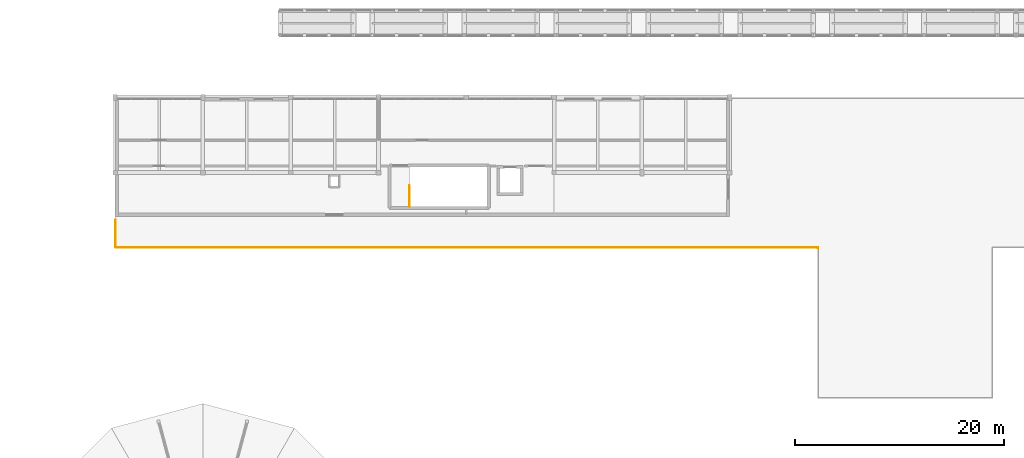
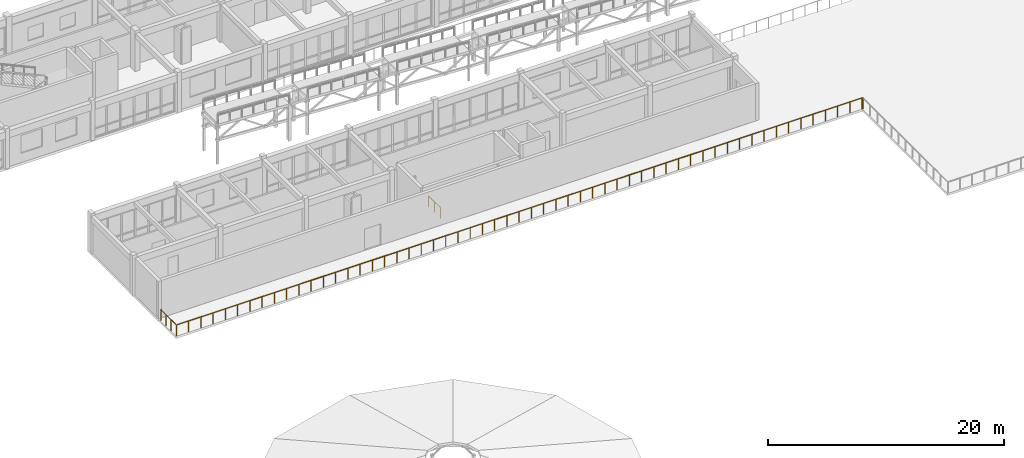
# One storey, part 82 of 89: 2 railings.
"""IFC4 building model written with IfcOpenShell, lengths in metres."""

import ifcopenshell
import ifcopenshell.guid

model = None  # the IFC model being written
_history = None  # IfcOwnerHistory: only IFC2X3 demands one
_inside = {}  # id of a spatial element -> (the spatial element, [elements in it])
_under = {}  # id of a project, library or spatial element -> (it, [spatial elements below it])
_declared = {}  # id of a project -> (the project, [libraries it declares])
_typed = {}  # id of a type object -> (the type object, [elements of that type])
_made_of = {}  # id of a material, layer set ... -> (it, [elements and type objects made of it])


def new_model(schema):
    """Start an empty IFC model of exactly this schema.

    Asked for "IFC4X3", IfcOpenShell would pick the latest addendum, in which some entities
    have other attributes; the version numbers below select the first issue.
    IFC2X3 requires an IfcOwnerHistory on every rooted entity: one is made here for all.
    """
    global model, _history
    if schema == "IFC4X3":
        model = ifcopenshell.file(schema_version=(4, 3, 0, 0))
    else:
        model = ifcopenshell.file(schema=schema)
    _inside.clear()
    _under.clear()
    _declared.clear()
    _typed.clear()
    _made_of.clear()
    _history = None
    if model.schema == "IFC2X3":
        org = make("IfcOrganization", Name="unknown")
        user = make(
            "IfcPersonAndOrganization",
            ThePerson=make("IfcPerson", FamilyName="unknown"),
            TheOrganization=org,
        )
        app = make(
            "IfcApplication",
            ApplicationDeveloper=org,
            Version="unknown",
            ApplicationFullName="unknown",
            ApplicationIdentifier="unknown",
        )
        _history = make(
            "IfcOwnerHistory",
            OwningUser=user,
            OwningApplication=app,
            ChangeAction="ADDED",
            CreationDate=0,
        )
    return model


def make(cls, **values):
    """One entity of the class cls with the attributes given. An attribute that is None is left unset."""
    return model.create_entity(
        cls, **{name: value for name, value in values.items() if value is not None}
    )


def rooted(cls, **values):
    """An entity with a GlobalId (a new one), such as an element, a storey or a relation."""
    return make(cls, GlobalId=ifcopenshell.guid.new(), OwnerHistory=_history, **values)


def si_unit(unit_type, name, prefix=None):
    """IfcSIUnit, for example si_unit("LENGTHUNIT", "METRE", prefix="MILLI")."""
    return make("IfcSIUnit", UnitType=unit_type, Prefix=prefix, Name=name)


def assignment(units):
    """IfcUnitAssignment: the units of a project."""
    return None if units is None else make("IfcUnitAssignment", Units=units)


def point(xyz):
    """IfcCartesianPoint."""
    return None if xyz is None else make("IfcCartesianPoint", Coordinates=xyz)


def direction(xyz):
    """IfcDirection."""
    return None if xyz is None else make("IfcDirection", DirectionRatios=xyz)


def frame(location, z_axis=None, x_axis=None):
    """IfcAxis2Placement3D, a coordinate frame: its origin and axes. An axis left out is left unset."""
    return make(
        "IfcAxis2Placement3D",
        Location=point(location),
        Axis=direction(z_axis),
        RefDirection=direction(x_axis),
    )


def frame_2d(location, x_axis=None):
    """IfcAxis2Placement2D, a coordinate frame in the plane: its origin and x axis."""
    return make(
        "IfcAxis2Placement2D", Location=point(location), RefDirection=direction(x_axis)
    )


def origin():
    """The frame at (0, 0, 0) with its axes left unset."""
    return frame((0.0, 0.0, 0.0))


def origin_2d():
    """The frame at (0, 0) in the plane with its x axis left unset."""
    return frame_2d((0.0, 0.0))


def place(relative_to, where):
    """IfcLocalPlacement: puts the frame where relative to a parent placement (None: the world)."""
    return make(
        "IfcLocalPlacement", PlacementRelTo=relative_to, RelativePlacement=where
    )


def context(
    kind, dimensions, precision=None, world=None, true_north=None, identifier=None
):
    """IfcGeometricRepresentationContext, for example the 3D "Model" context."""
    return make(
        "IfcGeometricRepresentationContext",
        ContextIdentifier=identifier,
        ContextType=kind,
        CoordinateSpaceDimension=dimensions,
        Precision=precision,
        WorldCoordinateSystem=world,
        TrueNorth=true_north,
    )


def subcontext(parent, identifier, kind, view, scale=None):
    """IfcGeometricRepresentationSubContext, for example "Body" below "Model"."""
    return make(
        "IfcGeometricRepresentationSubContext",
        ContextIdentifier=identifier,
        ContextType=kind,
        ParentContext=parent,
        TargetScale=scale,
        TargetView=view,
    )


def project(units=None, contexts=None):
    """IfcProject with its units and contexts."""
    return rooted(
        "IfcProject",
        Name="project",
        RepresentationContexts=contexts,
        UnitsInContext=assignment(units),
    )


def spatial(cls, under=None, at=None, **own):
    """A site, building, storey or space (cls), placed at a placement, below another one or the project."""
    s = rooted(cls, ObjectPlacement=at, **own)
    if under is not None:
        _under.setdefault(under.id(), (under, []))[1].append(s)
    return s


def profile(cls, at=None, kind="AREA", **sizes):
    """A parametric profile (cls). Its sizes go by their IFC names, for example OverallWidth=200.0."""
    return make(cls, ProfileType=kind, Position=at, **sizes)


def circle(**sizes):
    """IfcCircleProfileDef."""
    return profile("IfcCircleProfileDef", **sizes)


def extrude(swept, where, along, depth):
    """IfcExtrudedAreaSolid: the profile swept, set in the frame where, extruded along a direction by depth."""
    return make(
        "IfcExtrudedAreaSolid",
        SweptArea=swept,
        Position=where,
        ExtrudedDirection=direction(along),
        Depth=depth,
    )


def shape(context_of_items, identifier, shape_type, items):
    """IfcShapeRepresentation: the items that make up one representation, for example the "Body"."""
    return make(
        "IfcShapeRepresentation",
        ContextOfItems=context_of_items,
        RepresentationIdentifier=identifier,
        RepresentationType=shape_type,
        Items=items,
    )


def material(Name=None, Category=None):
    """IfcMaterial."""
    return make("IfcMaterial", Name=Name, Category=Category)


def layer(
    of_material, thickness, ventilated=None, Name=None, Category=None, Priority=None
):
    """IfcMaterialLayer: one layer of a wall or slab, of a material (None: an air gap)."""
    return make(
        "IfcMaterialLayer",
        Material=of_material,
        LayerThickness=thickness,
        IsVentilated=ventilated,
        Name=Name,
        Category=Category,
        Priority=Priority,
    )


def layer_set(layers, Name=None):
    """IfcMaterialLayerSet."""
    return make("IfcMaterialLayerSet", MaterialLayers=layers, LayerSetName=Name)


def made_of(thing, what):
    """Note that an element or type object is made of a material, layer set ...; save() writes the relation."""
    if what is not None:
        _made_of.setdefault(what.id(), (what, []))[1].append(thing)
    return thing


def type_object(cls, material=None, **own):
    """A type object (cls), such as IfcWallType, which elements share."""
    return made_of(rooted(cls, **own), material)


def element(
    cls,
    number,
    at=None,
    inside=None,
    cuts=None,
    type_object=None,
    material=None,
    context=None,
    identifier="Body",
    shape_type=None,
    held_by="IfcProductDefinitionShape",
    body=None,
    shapes=None,
    **own,
):
    """One element of the class cls, such as IfcWall. Its Tag is "e" and its number.

    at: its placement. inside: the storey or other place that contains it. cuts: it is an
    opening in that element (IfcRelVoidsElement). A single representation is given by context,
    identifier, shape_type and body (its items); several are given by shapes. held_by: the class
    of the entity that holds the representations. save() writes the other relations.
    """
    e = rooted(cls, Tag="e%d" % number, ObjectPlacement=at, **own)
    if body is not None:
        shapes = [shape(context, identifier, shape_type, body)]
    if shapes is not None:
        e.Representation = make(held_by, Representations=shapes)
    if inside is not None:
        _inside.setdefault(inside.id(), (inside, []))[1].append(e)
    if cuts is not None:
        rooted(
            "IfcRelVoidsElement", RelatingBuildingElement=cuts, RelatedOpeningElement=e
        )
    if type_object is not None:
        _typed.setdefault(type_object.id(), (type_object, []))[1].append(e)
    return made_of(e, material)


def aggregate(whole, parts):
    """IfcRelAggregates: a whole, such as a stair, and the parts it consists of."""
    return rooted("IfcRelAggregates", RelatingObject=whole, RelatedObjects=parts)


def save(model, path):
    """Write the relations noted so far, then the file.

    IfcRelAggregates (storeys below a building ...), IfcRelContainedInSpatialStructure (elements
    in a storey), IfcRelDefinesByType, IfcRelAssociatesMaterial and IfcRelDeclares: one each for
    every whole, place, type object, material and project.
    """
    for whole, parts in _under.values():
        aggregate(whole, parts)
    for where, things in _inside.values():
        rooted(
            "IfcRelContainedInSpatialStructure",
            RelatedElements=things,
            RelatingStructure=where,
        )
    for kind, things in _typed.values():
        rooted("IfcRelDefinesByType", RelatedObjects=things, RelatingType=kind)
    for what, things in _made_of.values():
        rooted("IfcRelAssociatesMaterial", RelatedObjects=things, RelatingMaterial=what)
    for by, libraries in _declared.values():
        rooted("IfcRelDeclares", RelatingContext=by, RelatedDefinitions=libraries)
    model.write(path)


model = new_model("IFC4")

# Units and contexts
model_context = context("Model", 3, precision=1e-05, world=origin(), true_north=direction((0.0, 1.0)))
body_context = subcontext(model_context, "Body", "Model", "MODEL_VIEW")
ifc_project = project(units=[si_unit("LENGTHUNIT", "METRE"), si_unit("AREAUNIT", "SQUARE_METRE"), si_unit("VOLUMEUNIT", "CUBIC_METRE"), si_unit("PLANEANGLEUNIT", "RADIAN"), si_unit("MASSUNIT", "GRAM", prefix="KILO")], contexts=[model_context])

# Site, building, storey
site_placement = place(None, origin())
site = spatial("IfcSite", under=ifc_project, at=site_placement, CompositionType="ELEMENT")
building_placement = place(site_placement, origin())
building = spatial("IfcBuilding", under=site, at=building_placement, Name="Malvenik Polytechnic", CompositionType="ELEMENT")
storey_placement = place(building_placement, frame((0.0, 0.0, 13.5)))
storey = spatial("IfcBuildingStorey", under=building, at=storey_placement, Name="L03", CompositionType="ELEMENT", Elevation=13.5)

# Railings
ifc_material_1 = material(Name="Galvanised powder-coated steel and laminated glass guard 1150mm", Category="steel")
ifc_layer_1 = layer(ifc_material_1, 0.070068359375)
ifc_layer_set_1 = layer_set([ifc_layer_1], Name="Galvanised powder-coated steel and laminated glass guard 1150mm")
railing_type_1 = type_object("IfcRailingType", Name="ARC-RL-BAL-1150", PredefinedType="BALUSTRADE", material=ifc_layer_set_1)
railing_1_placement = place(storey_placement, frame((75.659912109375, 50.39990234375, 0.0)))
element("IfcRailing", 1, at=railing_1_placement, inside=storey, type_object=railing_type_1, Name="Terrace Perimeter Balustrade L03 #14", PredefinedType="BALUSTRADE", context=body_context, shape_type="SweptSolid", body=[
    extrude(circle(Radius=0.02392578125, at=origin_2d()), frame((0.0, 0.0, 1.1259765625), z_axis=(-0.039968038349, 0.999200958722, 0.0), x_axis=(-0.999200958722, -0.039968038349, 0.0)), (0.0, 0.0, 1.0), 0.006103515625),
    extrude(circle(Radius=0.02392578125, at=origin_2d()), frame((-0.000244140625, 0.006103515625, 1.1259765625), z_axis=(-0.171341174751, 0.98521175482, 0.0), x_axis=(-0.98521175482, -0.171341174751, 0.0)), (0.0, 0.0, 1.0), 0.005615234375),
    extrude(circle(Radius=0.02392578125, at=origin_2d()), frame((-0.001220703125, 0.01171875, 1.1259765625), z_axis=(-0.203954254112, 0.978980419738, 0.0), x_axis=(-0.978980419738, -0.203954254112, 0.0)), (0.0, 0.0, 1.0), 0.006103515625),
    extrude(circle(Radius=0.02392578125, at=origin_2d()), frame((-0.00244140625, 0.017578125, 1.1259765625), z_axis=(-0.328520624941, 0.944496796706, 0.0), x_axis=(-0.944496796706, -0.328520624941, 0.0)), (0.0, 0.0, 1.0), 0.005859375),
    extrude(circle(Radius=0.02392578125, at=origin_2d()), frame((-0.00439453125, 0.023193359375, 1.1259765625), z_axis=(-0.464006994671, 0.88583153528, 0.0), x_axis=(-0.88583153528, -0.464006994671, 0.0)), (0.0, 0.0, 1.0), 0.005859375),
    extrude(circle(Radius=0.02392578125, at=origin_2d()), frame((-0.007080078125, 0.0283203125, 1.1259765625), z_axis=(-0.496138938357, 0.868243142124, 0.0), x_axis=(-0.868243142124, -0.496138938357, 0.0)), (0.0, 0.0, 1.0), 0.005859375),
    extrude(circle(Radius=0.02392578125, at=origin_2d()), frame((-0.010009765625, 0.033447265625, 1.1259765625), z_axis=(-0.59319903805, 0.805055837353, 0.0), x_axis=(-0.805055837353, -0.59319903805, 0.0)), (0.0, 0.0, 1.0), 0.005859375),
    extrude(circle(Radius=0.02392578125, at=origin_2d()), frame((-0.013427734375, 0.0380859375, 1.1259765625), z_axis=(-0.686623532964, 0.72701315255, 0.0), x_axis=(-0.72701315255, -0.686623532964, 0.0)), (0.0, 0.0, 1.0), 0.006103515625),
    extrude(circle(Radius=0.02392578125, at=origin_2d()), frame((-0.017578125, 0.04248046875, 1.1259765625), z_axis=(-0.728199992693, 0.685364699005, 0.0), x_axis=(-0.685364699005, -0.728199992693, 0.0)), (0.0, 0.0, 1.0), 0.005615234375),
    extrude(circle(Radius=0.02392578125, at=origin_2d()), frame((-0.021728515625, 0.04638671875, 1.1259765625), z_axis=(-0.8, 0.6, 0.0), x_axis=(-0.6, -0.8, 0.0)), (0.0, 0.0, 1.0), 0.006103515625),
    extrude(circle(Radius=0.02392578125, at=origin_2d()), frame((-0.026611328125, 0.050048828125, 1.1259765625), z_axis=(-0.857492925713, 0.514495755428, 0.0), x_axis=(-0.514495755428, -0.857492925713, 0.0)), (0.0, 0.0, 1.0), 0.005615234375),
    extrude(circle(Radius=0.02392578125, at=origin_2d()), frame((-0.031494140625, 0.052978515625, 1.1259765625), z_axis=(-0.910366477463, 0.413802944301, 0.0), x_axis=(-0.413802944301, -0.910366477463, 0.0)), (0.0, 0.0, 1.0), 0.005859375),
    extrude(circle(Radius=0.02392578125, at=origin_2d()), frame((-0.036865234375, 0.055419921875, 1.1259765625), z_axis=(-0.931242779706, 0.364399348581, 0.0), x_axis=(-0.364399348581, -0.931242779706, 0.0)), (0.0, 0.0, 1.0), 0.006103515625),
    extrude(circle(Radius=0.02392578125, at=origin_2d()), frame((-0.04248046875, 0.0576171875, 1.1259765625), z_axis=(-0.977176363923, 0.212429644331, 0.0), x_axis=(-0.212429644331, -0.977176363923, 0.0)), (0.0, 0.0, 1.0), 0.005859375),
    extrude(circle(Radius=0.02392578125, at=origin_2d()), frame((-0.048095703125, 0.058837890625, 1.1259765625), z_axis=(-0.986393923832, 0.164398987305, 0.0), x_axis=(-0.164398987305, -0.986393923832, 0.0)), (0.0, 0.0, 1.0), 0.005859375),
    extrude(circle(Radius=0.02392578125, at=origin_2d()), frame((-0.053955078125, 0.059814453125, 1.1259765625), z_axis=(-0.999133073092, 0.041630544712, 0.0), x_axis=(-0.041630544712, -0.999133073092, 0.0)), (0.0, 0.0, 1.0), 0.005859375),
    extrude(circle(Radius=0.02392578125, at=origin_2d()), frame((-0.059814453125, 0.06005859375, 1.1259765625), z_axis=(-1.0, 0.0, 0.0), x_axis=(0.0, -1.0, 0.0)), (0.0, 0.0, 1.0), 67.14013671875),
    extrude(circle(Radius=0.02392578125, at=origin_2d()), frame((-67.199951171875, 0.06005859375, 1.1259765625), z_axis=(0.0, 1.0, 0.0), x_axis=(-1.0, 0.0, 0.0)), (0.0, 0.0, 1.0), 2.6201171875),
    extrude(circle(Radius=0.02099609375, at=origin_2d()), origin(), (0.0, 0.0, 1.0), 1.101806640625),
    extrude(circle(Radius=0.02099609375, at=origin_2d()), frame((-0.000244140625, 0.006103515625, 0.0)), (0.0, 0.0, 1.0), 1.101806640625),
    extrude(circle(Radius=0.02099609375, at=origin_2d()), frame((-0.001220703125, 0.01171875, 0.0)), (0.0, 0.0, 1.0), 1.101806640625),
    extrude(circle(Radius=0.02099609375, at=origin_2d()), frame((-0.00244140625, 0.017578125, 0.0)), (0.0, 0.0, 1.0), 1.101806640625),
    extrude(circle(Radius=0.02099609375, at=origin_2d()), frame((-0.00439453125, 0.023193359375, 0.0)), (0.0, 0.0, 1.0), 1.101806640625),
    extrude(circle(Radius=0.02099609375, at=origin_2d()), frame((-0.007080078125, 0.0283203125, 0.0)), (0.0, 0.0, 1.0), 1.101806640625),
    extrude(circle(Radius=0.02099609375, at=origin_2d()), frame((-0.010009765625, 0.033447265625, 0.0)), (0.0, 0.0, 1.0), 1.101806640625),
    extrude(circle(Radius=0.02099609375, at=origin_2d()), frame((-0.013427734375, 0.0380859375, 0.0)), (0.0, 0.0, 1.0), 1.101806640625),
    extrude(circle(Radius=0.02099609375, at=origin_2d()), frame((-0.017578125, 0.04248046875, 0.0)), (0.0, 0.0, 1.0), 1.101806640625),
    extrude(circle(Radius=0.02099609375, at=origin_2d()), frame((-0.021728515625, 0.04638671875, 0.0)), (0.0, 0.0, 1.0), 1.101806640625),
    extrude(circle(Radius=0.02099609375, at=origin_2d()), frame((-0.026611328125, 0.050048828125, 0.0)), (0.0, 0.0, 1.0), 1.101806640625),
    extrude(circle(Radius=0.02099609375, at=origin_2d()), frame((-0.031494140625, 0.052978515625, 0.0)), (0.0, 0.0, 1.0), 1.101806640625),
    extrude(circle(Radius=0.02099609375, at=origin_2d()), frame((-0.036865234375, 0.055419921875, 0.0)), (0.0, 0.0, 1.0), 1.101806640625),
    extrude(circle(Radius=0.02099609375, at=origin_2d()), frame((-0.04248046875, 0.0576171875, 0.0)), (0.0, 0.0, 1.0), 1.101806640625),
    extrude(circle(Radius=0.02099609375, at=origin_2d()), frame((-0.048095703125, 0.058837890625, 0.0)), (0.0, 0.0, 1.0), 1.101806640625),
    extrude(circle(Radius=0.02099609375, at=origin_2d()), frame((-0.053955078125, 0.059814453125, 0.0)), (0.0, 0.0, 1.0), 1.101806640625),
    extrude(circle(Radius=0.02099609375, at=origin_2d()), frame((-0.059814453125, 0.06005859375, 0.0)), (0.0, 0.0, 1.0), 1.101806640625),
    extrude(circle(Radius=0.02099609375, at=origin_2d()), frame((-1.2587890625, 0.06005859375, 0.0)), (0.0, 0.0, 1.0), 1.101806640625),
    extrude(circle(Radius=0.02099609375, at=origin_2d()), frame((-2.457763671875, 0.06005859375, 0.0)), (0.0, 0.0, 1.0), 1.101806640625),
    extrude(circle(Radius=0.02099609375, at=origin_2d()), frame((-3.656494140625, 0.06005859375, 0.0)), (0.0, 0.0, 1.0), 1.101806640625),
    extrude(circle(Radius=0.02099609375, at=origin_2d()), frame((-4.85546875, 0.06005859375, 0.0)), (0.0, 0.0, 1.0), 1.101806640625),
    extrude(circle(Radius=0.02099609375, at=origin_2d()), frame((-6.054443359375, 0.06005859375, 0.0)), (0.0, 0.0, 1.0), 1.101806640625),
    extrude(circle(Radius=0.02099609375, at=origin_2d()), frame((-7.25341796875, 0.06005859375, 0.0)), (0.0, 0.0, 1.0), 1.101806640625),
    extrude(circle(Radius=0.02099609375, at=origin_2d()), frame((-8.452392578125, 0.06005859375, 0.0)), (0.0, 0.0, 1.0), 1.101806640625),
    extrude(circle(Radius=0.02099609375, at=origin_2d()), frame((-9.6513671875, 0.06005859375, 0.0)), (0.0, 0.0, 1.0), 1.101806640625),
    extrude(circle(Radius=0.02099609375, at=origin_2d()), frame((-10.85009765625, 0.06005859375, 0.0)), (0.0, 0.0, 1.0), 1.101806640625),
    extrude(circle(Radius=0.02099609375, at=origin_2d()), frame((-12.049072265625, 0.06005859375, 0.0)), (0.0, 0.0, 1.0), 1.101806640625),
    extrude(circle(Radius=0.02099609375, at=origin_2d()), frame((-13.248046875, 0.06005859375, 0.0)), (0.0, 0.0, 1.0), 1.101806640625),
    extrude(circle(Radius=0.02099609375, at=origin_2d()), frame((-14.447021484375, 0.06005859375, 0.0)), (0.0, 0.0, 1.0), 1.101806640625),
    extrude(circle(Radius=0.02099609375, at=origin_2d()), frame((-15.64599609375, 0.06005859375, 0.0)), (0.0, 0.0, 1.0), 1.101806640625),
    extrude(circle(Radius=0.02099609375, at=origin_2d()), frame((-16.8447265625, 0.06005859375, 0.0)), (0.0, 0.0, 1.0), 1.101806640625),
    extrude(circle(Radius=0.02099609375, at=origin_2d()), frame((-18.043701171875, 0.06005859375, 0.0)), (0.0, 0.0, 1.0), 1.101806640625),
    extrude(circle(Radius=0.02099609375, at=origin_2d()), frame((-19.24267578125, 0.06005859375, 0.0)), (0.0, 0.0, 1.0), 1.101806640625),
    extrude(circle(Radius=0.02099609375, at=origin_2d()), frame((-20.441650390625, 0.06005859375, 0.0)), (0.0, 0.0, 1.0), 1.101806640625),
    extrude(circle(Radius=0.02099609375, at=origin_2d()), frame((-21.640625, 0.06005859375, 0.0)), (0.0, 0.0, 1.0), 1.101806640625),
    extrude(circle(Radius=0.02099609375, at=origin_2d()), frame((-22.839599609375, 0.06005859375, 0.0)), (0.0, 0.0, 1.0), 1.101806640625),
    extrude(circle(Radius=0.02099609375, at=origin_2d()), frame((-24.038330078125, 0.06005859375, 0.0)), (0.0, 0.0, 1.0), 1.101806640625),
    extrude(circle(Radius=0.02099609375, at=origin_2d()), frame((-25.2373046875, 0.06005859375, 0.0)), (0.0, 0.0, 1.0), 1.101806640625),
    extrude(circle(Radius=0.02099609375, at=origin_2d()), frame((-26.436279296875, 0.06005859375, 0.0)), (0.0, 0.0, 1.0), 1.101806640625),
    extrude(circle(Radius=0.02099609375, at=origin_2d()), frame((-27.63525390625, 0.06005859375, 0.0)), (0.0, 0.0, 1.0), 1.101806640625),
    extrude(circle(Radius=0.02099609375, at=origin_2d()), frame((-28.834228515625, 0.06005859375, 0.0)), (0.0, 0.0, 1.0), 1.101806640625),
    extrude(circle(Radius=0.02099609375, at=origin_2d()), frame((-30.033203125, 0.06005859375, 0.0)), (0.0, 0.0, 1.0), 1.101806640625),
    extrude(circle(Radius=0.02099609375, at=origin_2d()), frame((-31.23193359375, 0.06005859375, 0.0)), (0.0, 0.0, 1.0), 1.101806640625),
    extrude(circle(Radius=0.02099609375, at=origin_2d()), frame((-32.430908203125, 0.06005859375, 0.0)), (0.0, 0.0, 1.0), 1.101806640625),
    extrude(circle(Radius=0.02099609375, at=origin_2d()), frame((-33.6298828125, 0.06005859375, 0.0)), (0.0, 0.0, 1.0), 1.101806640625),
    extrude(circle(Radius=0.02099609375, at=origin_2d()), frame((-34.828857421875, 0.06005859375, 0.0)), (0.0, 0.0, 1.0), 1.101806640625),
    extrude(circle(Radius=0.02099609375, at=origin_2d()), frame((-36.02783203125, 0.06005859375, 0.0)), (0.0, 0.0, 1.0), 1.101806640625),
    extrude(circle(Radius=0.02099609375, at=origin_2d()), frame((-37.2265625, 0.06005859375, 0.0)), (0.0, 0.0, 1.0), 1.101806640625),
    extrude(circle(Radius=0.02099609375, at=origin_2d()), frame((-38.425537109375, 0.06005859375, 0.0)), (0.0, 0.0, 1.0), 1.101806640625),
    extrude(circle(Radius=0.02099609375, at=origin_2d()), frame((-39.62451171875, 0.06005859375, 0.0)), (0.0, 0.0, 1.0), 1.101806640625),
    extrude(circle(Radius=0.02099609375, at=origin_2d()), frame((-40.823486328125, 0.06005859375, 0.0)), (0.0, 0.0, 1.0), 1.101806640625),
    extrude(circle(Radius=0.02099609375, at=origin_2d()), frame((-42.0224609375, 0.06005859375, 0.0)), (0.0, 0.0, 1.0), 1.101806640625),
    extrude(circle(Radius=0.02099609375, at=origin_2d()), frame((-43.221435546875, 0.06005859375, 0.0)), (0.0, 0.0, 1.0), 1.101806640625),
    extrude(circle(Radius=0.02099609375, at=origin_2d()), frame((-44.420166015625, 0.06005859375, 0.0)), (0.0, 0.0, 1.0), 1.101806640625),
    extrude(circle(Radius=0.02099609375, at=origin_2d()), frame((-45.619140625, 0.06005859375, 0.0)), (0.0, 0.0, 1.0), 1.101806640625),
    extrude(circle(Radius=0.02099609375, at=origin_2d()), frame((-46.818115234375, 0.06005859375, 0.0)), (0.0, 0.0, 1.0), 1.101806640625),
    extrude(circle(Radius=0.02099609375, at=origin_2d()), frame((-48.01708984375, 0.06005859375, 0.0)), (0.0, 0.0, 1.0), 1.101806640625),
    extrude(circle(Radius=0.02099609375, at=origin_2d()), frame((-49.216064453125, 0.06005859375, 0.0)), (0.0, 0.0, 1.0), 1.101806640625),
    extrude(circle(Radius=0.02099609375, at=origin_2d()), frame((-50.4150390625, 0.06005859375, 0.0)), (0.0, 0.0, 1.0), 1.101806640625),
    extrude(circle(Radius=0.02099609375, at=origin_2d()), frame((-51.61376953125, 0.06005859375, 0.0)), (0.0, 0.0, 1.0), 1.101806640625),
    extrude(circle(Radius=0.02099609375, at=origin_2d()), frame((-52.812744140625, 0.06005859375, 0.0)), (0.0, 0.0, 1.0), 1.101806640625),
    extrude(circle(Radius=0.02099609375, at=origin_2d()), frame((-54.01171875, 0.06005859375, 0.0)), (0.0, 0.0, 1.0), 1.101806640625),
    extrude(circle(Radius=0.02099609375, at=origin_2d()), frame((-55.210693359375, 0.06005859375, 0.0)), (0.0, 0.0, 1.0), 1.101806640625),
    extrude(circle(Radius=0.02099609375, at=origin_2d()), frame((-56.40966796875, 0.06005859375, 0.0)), (0.0, 0.0, 1.0), 1.101806640625),
    extrude(circle(Radius=0.02099609375, at=origin_2d()), frame((-57.6083984375, 0.06005859375, 0.0)), (0.0, 0.0, 1.0), 1.101806640625),
    extrude(circle(Radius=0.02099609375, at=origin_2d()), frame((-58.807373046875, 0.06005859375, 0.0)), (0.0, 0.0, 1.0), 1.101806640625),
    extrude(circle(Radius=0.02099609375, at=origin_2d()), frame((-60.00634765625, 0.06005859375, 0.0)), (0.0, 0.0, 1.0), 1.101806640625),
    extrude(circle(Radius=0.02099609375, at=origin_2d()), frame((-61.205322265625, 0.06005859375, 0.0)), (0.0, 0.0, 1.0), 1.101806640625),
    extrude(circle(Radius=0.02099609375, at=origin_2d()), frame((-62.404296875, 0.06005859375, 0.0)), (0.0, 0.0, 1.0), 1.101806640625),
    extrude(circle(Radius=0.02099609375, at=origin_2d()), frame((-63.603271484375, 0.06005859375, 0.0)), (0.0, 0.0, 1.0), 1.101806640625),
    extrude(circle(Radius=0.02099609375, at=origin_2d()), frame((-64.802001953125, 0.06005859375, 0.0)), (0.0, 0.0, 1.0), 1.101806640625),
    extrude(circle(Radius=0.02099609375, at=origin_2d()), frame((-66.0009765625, 0.06005859375, 0.0)), (0.0, 0.0, 1.0), 1.101806640625),
    extrude(circle(Radius=0.02099609375, at=origin_2d()), frame((-67.199951171875, 0.06005859375, 0.0)), (0.0, 0.0, 1.0), 1.101806640625),
    extrude(circle(Radius=0.02099609375, at=origin_2d()), frame((-67.199951171875, 0.933349609375, 0.0)), (0.0, 0.0, 1.0), 1.101806640625),
    extrude(circle(Radius=0.02099609375, at=origin_2d()), frame((-67.199951171875, 1.806884765625, 0.0)), (0.0, 0.0, 1.0), 1.101806640625),
    extrude(circle(Radius=0.02099609375, at=origin_2d()), frame((-67.199951171875, 2.68017578125, 0.0)), (0.0, 0.0, 1.0), 1.101806640625),
])
ifc_material_2 = material(Name="Painted galvanised steel stair well balustrade 1100mm", Category="steel")
ifc_layer_2 = layer(ifc_material_2, 0.050048828125)
ifc_layer_set_2 = layer_set([ifc_layer_2], Name="Painted galvanised steel stair well balustrade 1100mm")
railing_type_2 = type_object("IfcRailingType", Name="ARC-RL-STGD", PredefinedType="BALUSTRADE", material=ifc_layer_set_2)
railing_2_placement = place(storey_placement, frame((36.550048828125, 54.35009765625, 0.0)))
element("IfcRailing", 2, at=railing_2_placement, inside=storey, type_object=railing_type_2, Name="L03 ST-06 top well guard 1", PredefinedType="BALUSTRADE", context=body_context, shape_type="SweptSolid", body=[
    extrude(circle(Radius=0.02392578125, at=origin_2d()), frame((0.0, 0.0, 1.076171875), z_axis=(0.0, 1.0, 0.0), x_axis=(-1.0, 0.0, 0.0)), (0.0, 0.0, 1.0), 2.0),
    extrude(circle(Radius=0.02099609375, at=origin_2d()), origin(), (0.0, 0.0, 1.0), 1.052001953125),
    extrude(circle(Radius=0.02099609375, at=origin_2d()), frame((0.0, 1.0, 0.0)), (0.0, 0.0, 1.0), 1.052001953125),
    extrude(circle(Radius=0.02099609375, at=origin_2d()), frame((0.0, 2.0, 0.0)), (0.0, 0.0, 1.0), 1.052001953125),
])

save(model, "model.ifc")
